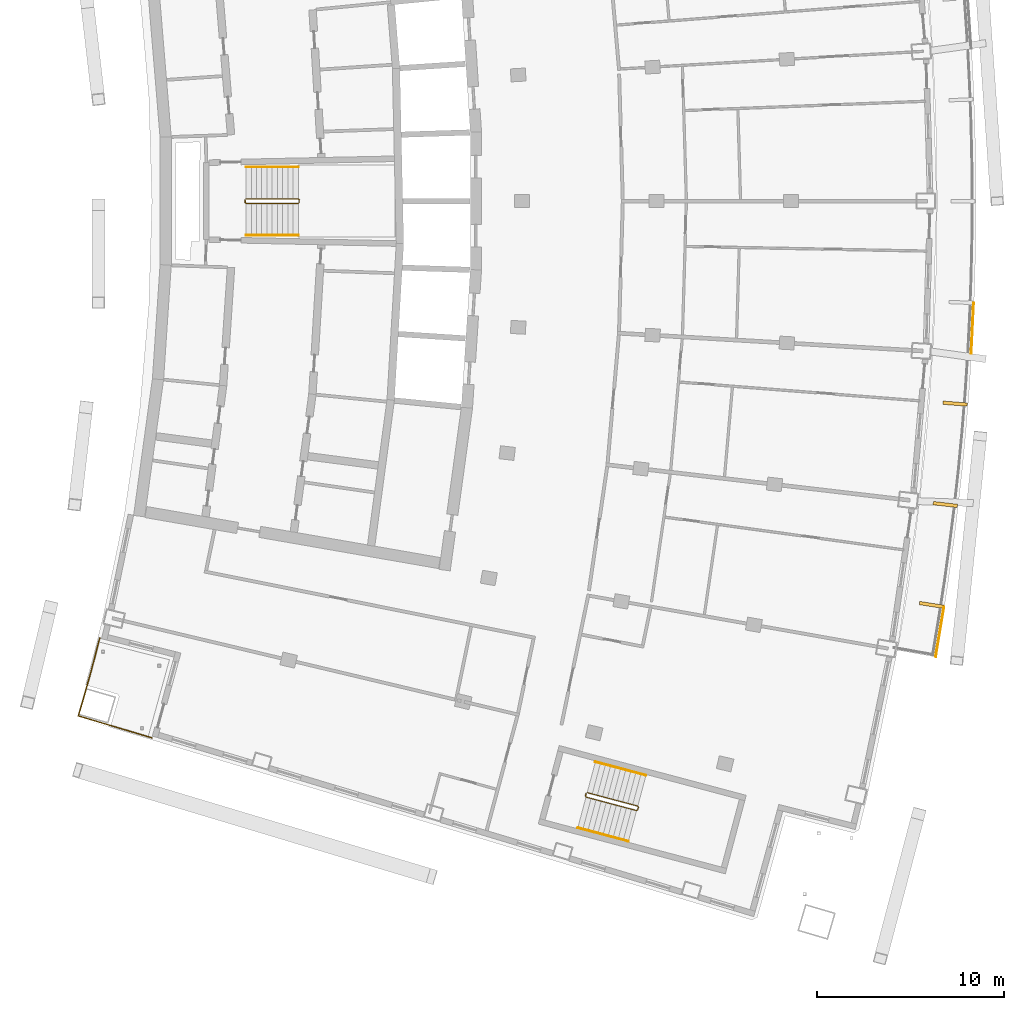
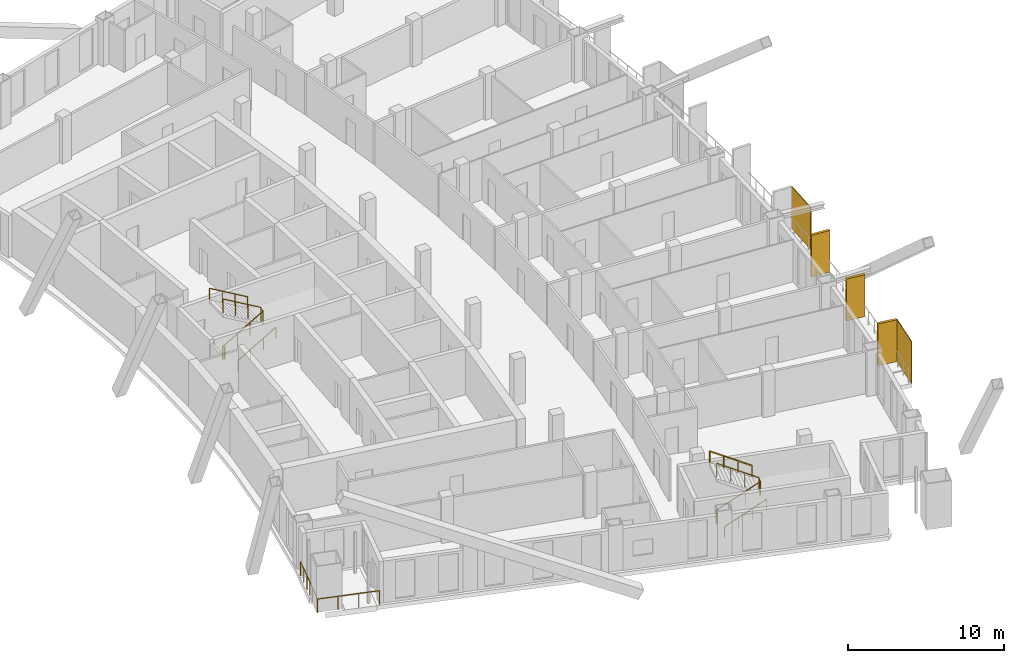
# One storey, part 17 of 19: 7 railings, 5 shading devices.
"""IFC4 building model written with IfcOpenShell, lengths in metres."""

from ifc_helpers import new_model, si_unit, direction, frame, origin, origin_with_axes, origin_2d, place, context, subcontext, project, spatial, rectangle, extrude, material, layer, layer_set, type_object, element, save


model = new_model("IFC4")

# Units and contexts
model_context = context("Model", 3, precision=1e-05, world=origin(), true_north=direction((0.0, 1.0)))
body_context = subcontext(model_context, "Body", "Model", "MODEL_VIEW")
ifc_project = project(units=[si_unit("LENGTHUNIT", "METRE"), si_unit("AREAUNIT", "SQUARE_METRE"), si_unit("VOLUMEUNIT", "CUBIC_METRE"), si_unit("PLANEANGLEUNIT", "RADIAN"), si_unit("MASSUNIT", "GRAM", prefix="KILO")], contexts=[model_context])

# Site, building, storey
site_placement = place(None, origin())
site = spatial("IfcSite", under=ifc_project, at=site_placement, CompositionType="ELEMENT")
building_placement = place(site_placement, origin())
building = spatial("IfcBuilding", under=site, at=building_placement, Name="Alderwake Tower", CompositionType="ELEMENT")
storey_placement = place(building_placement, frame((0.0, 0.0, 221.60009765625)))
storey = spatial("IfcBuildingStorey", under=building, at=storey_placement, Name="L55", CompositionType="ELEMENT", Elevation=221.60009765625)

# Railing
ifc_material_1 = material(Name="Stainless steel 316 rail and posts", Category="steel")
railing_type_1 = type_object("IfcRailingType", Name="Balcony guard 1100", PredefinedType="GUARDRAIL", material=ifc_material_1)
railing_1_placement = place(storey_placement, frame((13.210693359375, 37.612548828125, 0.0)))
element("IfcRailing", 1, at=railing_1_placement, inside=storey, type_object=railing_type_1, Name="Guard terrace RS", PredefinedType="GUARDRAIL", context=body_context, shape_type="SweptSolid", body=[
    extrude(rectangle(XDim=0.048095703125, YDim=0.048095703125, at=origin_2d()), frame((0.0, 0.0, 1.076171875), z_axis=(-0.251385381433, -0.967887075026, 0.0), x_axis=(0.967887075026, -0.251385381433, 0.0)), (0.0, 0.0, 1.0), 1.6015625),
    extrude(rectangle(XDim=0.048095703125, YDim=0.048095703125, at=origin_2d()), frame((-0.402587890625, -1.550048828125, 1.076171875), z_axis=(-0.266520638672, -0.963829211615, 0.0), x_axis=(0.963829211615, -0.266520638672, 0.0)), (0.0, 0.0, 1.0), 1.401611328125),
    extrude(rectangle(XDim=0.048095703125, YDim=0.048095703125, at=origin_2d()), frame((-0.776123046875, -2.90087890625, 1.076171875), z_axis=(-0.280093650878, -0.959972680204, 0.0), x_axis=(0.959972680204, -0.280093650878, 0.0)), (0.0, 0.0, 1.0), 1.30126953125),
    extrude(rectangle(XDim=0.048095703125, YDim=0.048095703125, at=origin_2d()), frame((-1.140625, -4.150146484375, 1.076171875), z_axis=(0.958066871889, -0.286544706789, 0.0), x_axis=(0.286544706789, 0.958066871889, 0.0)), (0.0, 0.0, 1.0), 4.099853515625),
    extrude(rectangle(XDim=0.0419921875, YDim=0.0419921875, at=origin_2d()), frame((0.0, 0.0, 0.0), z_axis=(0.0, 0.0, 1.0), x_axis=(-0.251385381433, -0.967887075026, 0.0)), (0.0, 0.0, 1.0), 1.052001953125),
    extrude(rectangle(XDim=0.0419921875, YDim=0.0419921875, at=origin_2d()), frame((-0.201171875, -0.77490234375, 0.0), z_axis=(0.0, 0.0, 1.0), x_axis=(-0.251385381433, -0.967887075026, 0.0)), (0.0, 0.0, 1.0), 1.052001953125),
    extrude(rectangle(XDim=0.0419921875, YDim=0.0419921875, at=origin_2d()), frame((-0.402587890625, -1.550048828125, 0.0), z_axis=(0.0, 0.0, 1.0), x_axis=(-0.266520638672, -0.963829211615, 0.0)), (0.0, 0.0, 1.0), 1.052001953125),
    extrude(rectangle(XDim=0.0419921875, YDim=0.0419921875, at=origin_2d()), frame((-0.58935546875, -2.2255859375, 0.0), z_axis=(0.0, 0.0, 1.0), x_axis=(-0.266520638672, -0.963829211615, 0.0)), (0.0, 0.0, 1.0), 1.052001953125),
    extrude(rectangle(XDim=0.0419921875, YDim=0.0419921875, at=origin_2d()), frame((-0.776123046875, -2.90087890625, 0.0), z_axis=(0.0, 0.0, 1.0), x_axis=(-0.280093650878, -0.959972680204, 0.0)), (0.0, 0.0, 1.0), 1.052001953125),
    extrude(rectangle(XDim=0.0419921875, YDim=0.0419921875, at=origin_2d()), frame((-1.140625, -4.150146484375, 0.0), z_axis=(0.0, 0.0, 1.0), x_axis=(0.958066871889, -0.286544706789, 0.0)), (0.0, 0.0, 1.0), 1.052001953125),
    extrude(rectangle(XDim=0.0419921875, YDim=0.0419921875, at=origin_2d()), frame((0.168701171875, -4.541748046875, 0.0), z_axis=(0.0, 0.0, 1.0), x_axis=(0.958066871889, -0.286544706789, 0.0)), (0.0, 0.0, 1.0), 1.052001953125),
    extrude(rectangle(XDim=0.0419921875, YDim=0.0419921875, at=origin_2d()), frame((1.47802734375, -4.933349609375, 0.0), z_axis=(0.0, 0.0, 1.0), x_axis=(0.958066871889, -0.286544706789, 0.0)), (0.0, 0.0, 1.0), 1.052001953125),
    extrude(rectangle(XDim=0.0419921875, YDim=0.0419921875, at=origin_2d()), frame((2.787353515625, -5.324951171875, 0.0), z_axis=(0.0, 0.0, 1.0), x_axis=(0.958066871889, -0.286544706789, 0.0)), (0.0, 0.0, 1.0), 1.052001953125),
])

# Shading devices
ifc_material_2 = material(Name="Bronze anodised aluminium", Category="aluminium")
ifc_layer_1 = layer(ifc_material_2, 0.179931640625)
ifc_layer_set_1 = layer_set([ifc_layer_1], Name="Facade fin 1300")
shading_device_type_1 = type_object("IfcShadingDeviceType", Name="Facade fin 1300", PredefinedType="USERDEFINED", material=ifc_layer_set_1)
for number, where, z_axis, x_axis, name in (
    (2, (57.7158203125, 39.396728515625, 0.0), (0.0, 0.0, 1.0), (0.987918787879, -0.154972476771, 0.0), "Fin"),
    (3, (58.451904296875, 44.768798828125, 0.0), (0.0, 0.0, 1.0), (0.993198315083, -0.116434990084, 0.0), "Fin"),
    (4, (58.978271484375, 50.16552734375, 0.0), (0.0, 0.0, 1.0), (0.996975122026, -0.077721335943, 0.0), "Fin"),
):
    element("IfcShadingDevice", number, at=place(storey_placement, frame(where, z_axis=z_axis, x_axis=x_axis)), inside=storey, type_object=shading_device_type_1, Name=name, ObjectType="FIN", PredefinedType="USERDEFINED", context=body_context, shape_type="SweptSolid", body=[
        extrude(rectangle(XDim=1.300048828125, YDim=0.179931640625, at=origin_2d()), origin(), (0.0, 0.0, 1.0), 3.280029296875),
    ])
ifc_material_3 = material(Name="Perforated bronze anodised aluminium", Category="aluminium")
ifc_layer_2 = layer(ifc_material_3, 0.050048828125)
ifc_layer_set_2 = layer_set([ifc_layer_2], Name="Perforated screen panel")
shading_device_type_2 = type_object("IfcShadingDeviceType", Name="Perforated screen panel", PredefinedType="USERDEFINED", material=ifc_layer_set_2)
for number, where, z_axis, x_axis, name in (
    (5, (58.1591796875, 37.951904296875, 0.0), (0.0, 0.0, 1.0), (0.986369013299, -0.164548380739, 0.0), "Screen panel"),
    (6, (59.903076171875, 54.1953125, 0.0), (0.0, 0.0, 1.0), (0.998819231138, -0.048581308217, 0.0), "Screen panel"),
):
    element("IfcShadingDevice", number, at=place(storey_placement, frame(where, z_axis=z_axis, x_axis=x_axis)), inside=storey, type_object=shading_device_type_2, Name=name, ObjectType="SCREEN", PredefinedType="USERDEFINED", context=body_context, shape_type="SweptSolid", body=[
        extrude(rectangle(XDim=0.050048828125, YDim=2.71728515625, at=origin_2d()), origin(), (0.0, 0.0, 1.0), 3.280029296875),
    ])

# Railings
ifc_material_4 = material(Name="Stainless steel guard", Category="steel")
railing_type_2 = type_object("IfcRailingType", Name="Stair guard 1100", PredefinedType="GUARDRAIL", material=ifc_material_4)
railing_2_placement = place(storey_placement, frame((20.989990234375, 60.925048828125, 0.0)))
element("IfcRailing", 7, at=railing_2_placement, inside=storey, type_object=railing_type_2, Name="L55 ST-B stair guard 1", PredefinedType="GUARDRAIL", context=body_context, shape_type="SweptSolid", body=[
    extrude(rectangle(XDim=0.048095703125, YDim=0.048095703125, at=origin_2d()), frame((0.0, 0.0, 1.076171875), z_axis=(0.0, 1.0, 0.0), x_axis=(-1.0, 0.0, 0.0)), (0.0, 0.0, 1.0), 0.14990234375),
    extrude(rectangle(XDim=0.048095703125, YDim=0.048095703125, at=origin_2d()), frame((0.0, 0.14990234375, 1.076171875), z_axis=(0.190199549216, -0.759870394187, 0.621627795), x_axis=(0.970072785993, 0.242814311512, 0.0)), (0.0, 0.0, 1.0), 0.26318359375),
    extrude(rectangle(XDim=0.048095703125, YDim=0.048095703125, at=origin_2d()), frame((0.050048828125, -0.050048828125, 1.23974609375), z_axis=(0.863393664356, 0.0, 0.504530851732), x_axis=(0.0, 1.0, 0.0)), (0.0, 0.0, 1.0), 3.2431640625),
    extrude(rectangle(XDim=0.048095703125, YDim=0.048095703125, at=origin_2d()), frame((2.85009765625, -0.050048828125, 2.8759765625), z_axis=(0.705375805398, 0.708833529934, 0.0), x_axis=(-0.708833529934, 0.705375805398, 0.0)), (0.0, 0.0, 1.0), 0.070556640625),
    extrude(rectangle(XDim=0.048095703125, YDim=0.048095703125, at=origin_2d()), frame((2.89990234375, 0.0, 2.8759765625), z_axis=(0.0, 1.0, 0.0), x_axis=(-1.0, 0.0, 0.0)), (0.0, 0.0, 1.0), 0.14990234375),
    extrude(rectangle(XDim=0.048095703125, YDim=0.048095703125, at=origin_2d()), frame((2.89990234375, 0.14990234375, 2.8759765625), z_axis=(-0.279194930351, 0.280563532951, 0.91833234444), x_axis=(-0.708833529934, -0.705375805398, 0.0)), (0.0, 0.0, 1.0), 0.178466796875),
    extrude(rectangle(XDim=0.048095703125, YDim=0.048095703125, at=origin_2d()), frame((2.85009765625, 0.199951171875, 3.03955078125), z_axis=(-0.863393664356, 0.0, 0.504530851732), x_axis=(0.0, -1.0, 0.0)), (0.0, 0.0, 1.0), 3.2431640625),
    extrude(rectangle(XDim=0.0419921875, YDim=0.0419921875, at=origin_2d()), frame((0.0, 0.0, 0.0), z_axis=(0.0, 0.0, 1.0), x_axis=(0.0, 1.0, 0.0)), (0.0, 0.0, 1.0), 1.052001953125),
    extrude(rectangle(XDim=0.0419921875, YDim=0.0419921875, at=origin_2d()), frame((0.0, 0.14990234375, 0.0), z_axis=(0.0, 0.0, 1.0), x_axis=(0.242814311512, -0.970072785993, 0.0)), (0.0, 0.0, 1.0), 1.052001953125),
    extrude(rectangle(XDim=0.0419921875, YDim=0.0419921875, at=origin_2d()), frame((0.050048828125, -0.050048828125, 0.16357421875), z_axis=(0.0, 0.0, 1.0), x_axis=(1.0, 0.0, 0.0)), (0.0, 0.0, 1.0), 1.052001953125),
    extrude(rectangle(XDim=0.0419921875, YDim=0.0419921875, at=origin_2d()), frame((0.9833984375, -0.050048828125, 0.708984375), z_axis=(0.0, 0.0, 1.0), x_axis=(1.0, 0.0, 0.0)), (0.0, 0.0, 1.0), 1.052001953125),
    extrude(rectangle(XDim=0.0419921875, YDim=0.0419921875, at=origin_2d()), frame((1.916748046875, -0.050048828125, 1.25439453125), z_axis=(0.0, 0.0, 1.0), x_axis=(1.0, 0.0, 0.0)), (0.0, 0.0, 1.0), 1.052001953125),
    extrude(rectangle(XDim=0.0419921875, YDim=0.0419921875, at=origin_2d()), frame((2.85009765625, -0.050048828125, 1.7998046875), z_axis=(0.0, 0.0, 1.0), x_axis=(0.705375805398, 0.708833529934, 0.0)), (0.0, 0.0, 1.0), 1.052001953125),
    extrude(rectangle(XDim=0.0419921875, YDim=0.0419921875, at=origin_2d()), frame((2.89990234375, 0.0, 1.7998046875), z_axis=(0.0, 0.0, 1.0), x_axis=(0.0, 1.0, 0.0)), (0.0, 0.0, 1.0), 1.052001953125),
    extrude(rectangle(XDim=0.0419921875, YDim=0.0419921875, at=origin_2d()), frame((2.89990234375, 0.14990234375, 1.7998046875), z_axis=(0.0, 0.0, 1.0), x_axis=(-0.705375805398, 0.708833529934, 0.0)), (0.0, 0.0, 1.0), 1.052001953125),
    extrude(rectangle(XDim=0.0419921875, YDim=0.0419921875, at=origin_2d()), frame((2.85009765625, 0.199951171875, 1.963623046875), z_axis=(0.0, 0.0, 1.0), x_axis=(-1.0, 0.0, 0.0)), (0.0, 0.0, 1.0), 1.052001953125),
    extrude(rectangle(XDim=0.0419921875, YDim=0.0419921875, at=origin_2d()), frame((1.916748046875, 0.199951171875, 2.509033203125), z_axis=(0.0, 0.0, 1.0), x_axis=(-1.0, 0.0, 0.0)), (0.0, 0.0, 1.0), 1.052001953125),
    extrude(rectangle(XDim=0.0419921875, YDim=0.0419921875, at=origin_2d()), frame((0.9833984375, 0.199951171875, 3.054443359375), z_axis=(0.0, 0.0, 1.0), x_axis=(-1.0, 0.0, 0.0)), (0.0, 0.0, 1.0), 1.052001953125),
    extrude(rectangle(XDim=0.0419921875, YDim=0.0419921875, at=origin_2d()), frame((0.050048828125, 0.199951171875, 3.599853515625), z_axis=(0.0, 0.0, 1.0), x_axis=(-1.0, 0.0, 0.0)), (0.0, 0.0, 1.0), 1.052001953125),
])
railing_3_placement = place(storey_placement, frame((39.1943359375, 29.17431640625, 0.0)))
element("IfcRailing", 8, at=railing_3_placement, inside=storey, type_object=railing_type_2, Name="L55 ST-C stair guard 1", PredefinedType="GUARDRAIL", context=body_context, shape_type="SweptSolid", body=[
    extrude(rectangle(XDim=0.048095703125, YDim=0.048095703125, at=origin_2d()), frame((0.0, 0.0, 1.076171875), z_axis=(0.257459803502, 0.966289009345, 0.0), x_axis=(-0.966289009345, 0.257459803502, 0.0)), (0.0, 0.0, 1.0), 0.14990234375),
    extrude(rectangle(XDim=0.048095703125, YDim=0.048095703125, at=origin_2d()), frame((0.03857421875, 0.144775390625, 1.076171875), z_axis=(-0.012062893862, -0.783160186125, 0.621702991355), x_axis=(0.999881397308, -0.015401016783, 0.0)), (0.0, 0.0, 1.0), 0.26318359375),
    extrude(rectangle(XDim=0.048095703125, YDim=0.048095703125, at=origin_2d()), frame((0.035400390625, -0.061279296875, 1.23974609375), z_axis=(0.834313512087, -0.222222637163, 0.504517653885), x_axis=(0.257380452725, 0.966310148221, 0.0)), (0.0, 0.0, 1.0), 3.2431640625),
    extrude(rectangle(XDim=0.048095703125, YDim=0.048095703125, at=origin_2d()), frame((2.7412109375, -0.781982421875, 2.8759765625), z_axis=(0.865031189262, 0.501718089772, 0.0), x_axis=(-0.501718089772, 0.865031189262, 0.0)), (0.0, 0.0, 1.0), 0.070556640625),
    extrude(rectangle(XDim=0.048095703125, YDim=0.048095703125, at=origin_2d()), frame((2.80224609375, -0.74658203125, 2.8759765625), z_axis=(0.257055032184, 0.966396766566, 0.0), x_axis=(-0.966396766566, 0.257055032184, 0.0)), (0.0, 0.0, 1.0), 0.150146484375),
    extrude(rectangle(XDim=0.048095703125, YDim=0.048095703125, at=origin_2d()), frame((2.8408203125, -0.6015625, 2.8759765625), z_axis=(-0.198375862152, 0.343395457933, 0.918001403477), x_axis=(-0.865898279276, -0.500220121494, 0.0)), (0.0, 0.0, 1.0), 0.178466796875),
    extrude(rectangle(XDim=0.048095703125, YDim=0.048095703125, at=origin_2d()), frame((2.805419921875, -0.540283203125, 3.03955078125), z_axis=(-0.834290631165, 0.222236594766, 0.504549342183), x_axis=(-0.257402139082, -0.966304371715, 0.0)), (0.0, 0.0, 1.0), 3.242919921875),
    extrude(rectangle(XDim=0.0419921875, YDim=0.0419921875, at=origin_2d()), frame((0.0, 0.0, 0.0), z_axis=(0.0, 0.0, 1.0), x_axis=(0.257459803502, 0.966289009345, 0.0)), (0.0, 0.0, 1.0), 1.052001953125),
    extrude(rectangle(XDim=0.0419921875, YDim=0.0419921875, at=origin_2d()), frame((0.03857421875, 0.144775390625, 0.0), z_axis=(0.0, 0.0, 1.0), x_axis=(-0.015401016783, -0.999881397308, 0.0)), (0.0, 0.0, 1.0), 1.052001953125),
    extrude(rectangle(XDim=0.0419921875, YDim=0.0419921875, at=origin_2d()), frame((0.035400390625, -0.061279296875, 0.16357421875), z_axis=(0.0, 0.0, 1.0), x_axis=(0.966310148221, -0.257380452725, 0.0)), (0.0, 0.0, 1.0), 1.052001953125),
    extrude(rectangle(XDim=0.0419921875, YDim=0.0419921875, at=origin_2d()), frame((0.937255859375, -0.301513671875, 0.708984375), z_axis=(0.0, 0.0, 1.0), x_axis=(0.966310148221, -0.257380452725, 0.0)), (0.0, 0.0, 1.0), 1.052001953125),
    extrude(rectangle(XDim=0.0419921875, YDim=0.0419921875, at=origin_2d()), frame((1.83935546875, -0.541748046875, 1.25439453125), z_axis=(0.0, 0.0, 1.0), x_axis=(0.966310148221, -0.257380452725, 0.0)), (0.0, 0.0, 1.0), 1.052001953125),
    extrude(rectangle(XDim=0.0419921875, YDim=0.0419921875, at=origin_2d()), frame((2.7412109375, -0.781982421875, 1.7998046875), z_axis=(0.0, 0.0, 1.0), x_axis=(0.865031189262, 0.501718089772, 0.0)), (0.0, 0.0, 1.0), 1.052001953125),
    extrude(rectangle(XDim=0.0419921875, YDim=0.0419921875, at=origin_2d()), frame((2.80224609375, -0.74658203125, 1.7998046875), z_axis=(0.0, 0.0, 1.0), x_axis=(0.257055032184, 0.966396766566, 0.0)), (0.0, 0.0, 1.0), 1.052001953125),
    extrude(rectangle(XDim=0.0419921875, YDim=0.0419921875, at=origin_2d()), frame((2.8408203125, -0.6015625, 1.7998046875), z_axis=(0.0, 0.0, 1.0), x_axis=(-0.500220121494, 0.865898279276, 0.0)), (0.0, 0.0, 1.0), 1.052001953125),
    extrude(rectangle(XDim=0.0419921875, YDim=0.0419921875, at=origin_2d()), frame((2.805419921875, -0.540283203125, 1.963623046875), z_axis=(0.0, 0.0, 1.0), x_axis=(-0.966304371715, 0.257402139082, 0.0)), (0.0, 0.0, 1.0), 1.052001953125),
    extrude(rectangle(XDim=0.0419921875, YDim=0.0419921875, at=origin_2d()), frame((1.903564453125, -0.300048828125, 2.509033203125), z_axis=(0.0, 0.0, 1.0), x_axis=(-0.966304371715, 0.257402139082, 0.0)), (0.0, 0.0, 1.0), 1.052001953125),
    extrude(rectangle(XDim=0.0419921875, YDim=0.0419921875, at=origin_2d()), frame((1.001708984375, -0.059814453125, 3.054443359375), z_axis=(0.0, 0.0, 1.0), x_axis=(-0.966304371715, 0.257402139082, 0.0)), (0.0, 0.0, 1.0), 1.052001953125),
    extrude(rectangle(XDim=0.0419921875, YDim=0.0419921875, at=origin_2d()), frame((0.099853515625, 0.180419921875, 3.599853515625), z_axis=(0.0, 0.0, 1.0), x_axis=(-0.966304371715, 0.257402139082, 0.0)), (0.0, 0.0, 1.0), 1.052001953125),
])
ifc_material_5 = material(Name="Stainless steel handrail", Category="steel")
railing_type_3 = type_object("IfcRailingType", Name="Stair handrail 900", PredefinedType="HANDRAIL", material=ifc_material_5)
railing_4_placement = place(storey_placement, frame((21.0400390625, 59.175048828125, 0.16357421875)))
element("IfcRailing", 9, at=railing_4_placement, inside=storey, type_object=railing_type_3, Name="L55 ST-B stair handrail 1", PredefinedType="HANDRAIL", context=body_context, shape_type="SweptSolid", body=[
    extrude(rectangle(XDim=0.048095703125, YDim=0.048095703125, at=origin_2d()), frame((0.0, 0.0, 0.8759765625), z_axis=(0.863393664356, 0.0, 0.504530851732), x_axis=(0.0, 1.0, 0.0)), (0.0, 0.0, 1.0), 3.2431640625),
    extrude(rectangle(XDim=0.0419921875, YDim=0.0419921875, at=origin_2d()), origin_with_axes(), (0.0, 0.0, 1.0), 0.851806640625),
    extrude(rectangle(XDim=0.0419921875, YDim=0.0419921875, at=origin_2d()), frame((0.933349609375, 0.0, 0.54541015625), z_axis=(0.0, 0.0, 1.0), x_axis=(1.0, 0.0, 0.0)), (0.0, 0.0, 1.0), 0.851806640625),
    extrude(rectangle(XDim=0.0419921875, YDim=0.0419921875, at=origin_2d()), frame((1.86669921875, 0.0, 1.0908203125), z_axis=(0.0, 0.0, 1.0), x_axis=(1.0, 0.0, 0.0)), (0.0, 0.0, 1.0), 0.851806640625),
    extrude(rectangle(XDim=0.0419921875, YDim=0.0419921875, at=origin_2d()), frame((2.800048828125, 0.0, 1.63623046875), z_axis=(0.0, 0.0, 1.0), x_axis=(1.0, 0.0, 0.0)), (0.0, 0.0, 1.0), 0.851806640625),
])
railing_5_placement = place(storey_placement, frame((23.840087890625, 62.824951171875, 1.963623046875)))
element("IfcRailing", 10, at=railing_5_placement, inside=storey, type_object=railing_type_3, Name="L55 ST-B stair handrail 2", PredefinedType="HANDRAIL", context=body_context, shape_type="SweptSolid", body=[
    extrude(rectangle(XDim=0.048095703125, YDim=0.048095703125, at=origin_2d()), frame((0.0, 0.0, 0.8759765625), z_axis=(-0.863393664356, 0.0, 0.504530851732), x_axis=(0.0, -1.0, 0.0)), (0.0, 0.0, 1.0), 3.2431640625),
    extrude(rectangle(XDim=0.0419921875, YDim=0.0419921875, at=origin_2d()), frame((0.0, 0.0, 0.0), z_axis=(0.0, 0.0, 1.0), x_axis=(-1.0, 0.0, 0.0)), (0.0, 0.0, 1.0), 0.851806640625),
    extrude(rectangle(XDim=0.0419921875, YDim=0.0419921875, at=origin_2d()), frame((-0.933349609375, 0.0, 0.54541015625), z_axis=(0.0, 0.0, 1.0), x_axis=(-1.0, 0.0, 0.0)), (0.0, 0.0, 1.0), 0.851806640625),
    extrude(rectangle(XDim=0.0419921875, YDim=0.0419921875, at=origin_2d()), frame((-1.86669921875, 0.0, 1.0908203125), z_axis=(0.0, 0.0, 1.0), x_axis=(-1.0, 0.0, 0.0)), (0.0, 0.0, 1.0), 0.851806640625),
    extrude(rectangle(XDim=0.0419921875, YDim=0.0419921875, at=origin_2d()), frame((-2.800048828125, 0.0, 1.63623046875), z_axis=(0.0, 0.0, 1.0), x_axis=(-1.0, 0.0, 0.0)), (0.0, 0.0, 1.0), 0.851806640625),
])
railing_6_placement = place(storey_placement, frame((38.792236328125, 27.47021484375, 0.16357421875)))
element("IfcRailing", 11, at=railing_6_placement, inside=storey, type_object=railing_type_3, Name="L55 ST-C stair handrail 1", PredefinedType="HANDRAIL", context=body_context, shape_type="SweptSolid", body=[
    extrude(rectangle(XDim=0.048095703125, YDim=0.048095703125, at=origin_2d()), frame((0.0, 0.0, 0.8759765625), z_axis=(0.834304587439, -0.222165027751, 0.504557782442), x_axis=(0.25732071773, 0.966326056891, 0.0)), (0.0, 0.0, 1.0), 3.242919921875),
    extrude(rectangle(XDim=0.0419921875, YDim=0.0419921875, at=origin_2d()), frame((0.0, 0.0, 0.0), z_axis=(0.0, 0.0, 1.0), x_axis=(0.966326056891, -0.25732071773, 0.0)), (0.0, 0.0, 1.0), 0.851806640625),
    extrude(rectangle(XDim=0.0419921875, YDim=0.0419921875, at=origin_2d()), frame((0.90185546875, -0.240234375, 0.54541015625), z_axis=(0.0, 0.0, 1.0), x_axis=(0.966326056891, -0.25732071773, 0.0)), (0.0, 0.0, 1.0), 0.851806640625),
    extrude(rectangle(XDim=0.0419921875, YDim=0.0419921875, at=origin_2d()), frame((1.8037109375, -0.480224609375, 1.0908203125), z_axis=(0.0, 0.0, 1.0), x_axis=(0.966326056891, -0.25732071773, 0.0)), (0.0, 0.0, 1.0), 0.851806640625),
    extrude(rectangle(XDim=0.0419921875, YDim=0.0419921875, at=origin_2d()), frame((2.70556640625, -0.720458984375, 1.63623046875), z_axis=(0.0, 0.0, 1.0), x_axis=(0.966326056891, -0.25732071773, 0.0)), (0.0, 0.0, 1.0), 0.851806640625),
])
railing_7_placement = place(storey_placement, frame((42.437255859375, 30.276611328125, 1.963623046875)))
element("IfcRailing", 12, at=railing_7_placement, inside=storey, type_object=railing_type_3, Name="L55 ST-C stair handrail 2", PredefinedType="HANDRAIL", context=body_context, shape_type="SweptSolid", body=[
    extrude(rectangle(XDim=0.048095703125, YDim=0.048095703125, at=origin_2d()), frame((0.0, 0.0, 0.8759765625), z_axis=(-0.834290631165, 0.222236594766, 0.504549342183), x_axis=(-0.257402139082, -0.966304371715, 0.0)), (0.0, 0.0, 1.0), 3.242919921875),
    extrude(rectangle(XDim=0.0419921875, YDim=0.0419921875, at=origin_2d()), frame((0.0, 0.0, 0.0), z_axis=(0.0, 0.0, 1.0), x_axis=(-0.966304371715, 0.257402139082, 0.0)), (0.0, 0.0, 1.0), 0.851806640625),
    extrude(rectangle(XDim=0.0419921875, YDim=0.0419921875, at=origin_2d()), frame((-0.90185546875, 0.240234375, 0.54541015625), z_axis=(0.0, 0.0, 1.0), x_axis=(-0.966304371715, 0.257402139082, 0.0)), (0.0, 0.0, 1.0), 0.851806640625),
    extrude(rectangle(XDim=0.0419921875, YDim=0.0419921875, at=origin_2d()), frame((-1.8037109375, 0.48046875, 1.0908203125), z_axis=(0.0, 0.0, 1.0), x_axis=(-0.966304371715, 0.257402139082, 0.0)), (0.0, 0.0, 1.0), 0.851806640625),
    extrude(rectangle(XDim=0.0419921875, YDim=0.0419921875, at=origin_2d()), frame((-2.70556640625, 0.720703125, 1.63623046875), z_axis=(0.0, 0.0, 1.0), x_axis=(-0.966304371715, 0.257402139082, 0.0)), (0.0, 0.0, 1.0), 0.851806640625),
])

save(model, "model.ifc")
